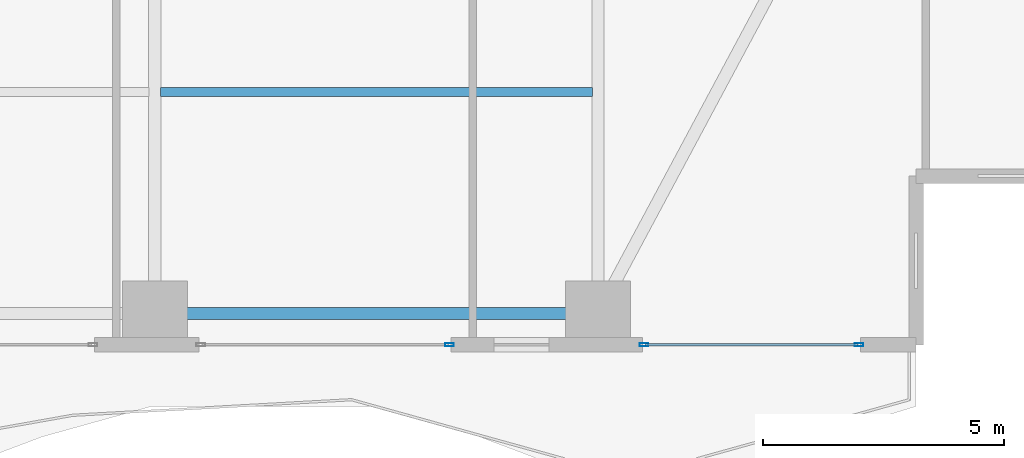
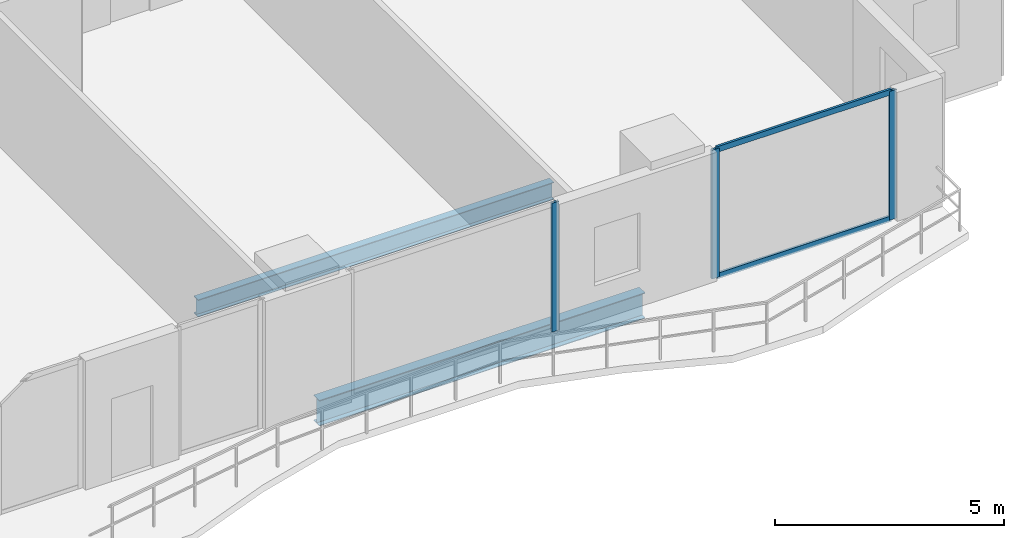
# One storey, part 9 of 28: 5 members, 2 beams, 2 elements without a shape of their own.
"""IFC4 building model written with IfcOpenShell, lengths in metres."""

from ifc_helpers import new_model, si_unit, direction, frame, origin, origin_2d, place, context, subcontext, project, spatial, hollow_rectangle, i_section, extrude, material, layer, layer_set, material_profile, profile_set, type_object, element, aggregate, save


model = new_model("IFC4")

# Units and contexts
model_context = context("Model", 3, precision=1e-05, world=origin(), true_north=direction((0.0, 1.0)))
body_context = subcontext(model_context, "Body", "Model", "MODEL_VIEW")
ifc_project = project(units=[si_unit("LENGTHUNIT", "METRE"), si_unit("AREAUNIT", "SQUARE_METRE"), si_unit("VOLUMEUNIT", "CUBIC_METRE"), si_unit("PLANEANGLEUNIT", "RADIAN"), si_unit("MASSUNIT", "GRAM", prefix="KILO")], contexts=[model_context])

# Site, building, storey
site_placement = place(None, origin())
site = spatial("IfcSite", under=ifc_project, at=site_placement, CompositionType="ELEMENT")
building_placement = place(site_placement, origin())
building = spatial("IfcBuilding", under=site, at=building_placement, Name="Zuhayl Quay Hotel", CompositionType="ELEMENT")
storey_placement = place(building_placement, frame((0.0, 0.0, 99.300048828125)))
storey = spatial("IfcBuildingStorey", under=building, at=storey_placement, Name="L24", CompositionType="ELEMENT", Elevation=99.300048828125)

# Beams
ifc_material_1 = material(Name="Steel ASTM A992 Grade 50", Category="steel")
ifc_material_profile_1 = material_profile(ifc_material_1, i_section(OverallWidth=0.25390625, OverallDepth=0.68310546875, WebThickness=0.012451171875, FlangeThickness=0.018798828125, at=origin_2d()), Name="W27X94")
ifc_profile_set_1 = profile_set([ifc_material_profile_1], Name="Steel ASTM A992 Grade 50")
beam_type_1 = type_object("IfcBeamType", Name="BM_B2_W27X94", PredefinedType="BEAM", material=ifc_profile_set_1)
beam_1_placement = place(storey_placement, frame((5.10009765625, -14.75, -0.5615234375), z_axis=(1.0, 0.0, 0.0), x_axis=(0.0, 1.0, 0.0)))
element("IfcBeam", 1, at=beam_1_placement, inside=storey, type_object=beam_type_1, Name="L24 Floor Beam RG_L24_03", PredefinedType="BEAM", context=body_context, shape_type="SweptSolid", body=[
    extrude(i_section(OverallWidth=0.25390625, OverallDepth=0.68310546875, WebThickness=0.012451171875, FlangeThickness=0.018798828125, at=origin_2d()), origin(), (0.0, 0.0, 1.0), 8.199951171875),
])
ifc_material_profile_2 = material_profile(ifc_material_1, i_section(OverallWidth=0.18994140625, OverallDepth=0.45703125, WebThickness=0.009033203125, FlangeThickness=0.014404296875, at=origin_2d()), Name="W18X50")
ifc_profile_set_2 = profile_set([ifc_material_profile_2], Name="Steel ASTM A992 Grade 50")
beam_type_2 = type_object("IfcBeamType", Name="BM_J2_W18X50", PredefinedType="JOIST", material=ifc_profile_set_2)
beam_2_placement = place(storey_placement, frame((4.718994140625, -10.14990234375, -0.448486328125), z_axis=(1.0, 0.0, 0.0), x_axis=(0.0, 1.0, 0.0)))
element("IfcBeam", 2, at=beam_2_placement, inside=storey, type_object=beam_type_2, Name="L24 Floor Beam FJ_L24_5_3", PredefinedType="JOIST", context=body_context, shape_type="SweptSolid", body=[
    extrude(i_section(OverallWidth=0.18994140625, OverallDepth=0.45703125, WebThickness=0.009033203125, FlangeThickness=0.014404296875, at=origin_2d()), origin(), (0.0, 0.0, 1.0), 8.9619140625),
])

# Curtain wall, members
ifc_material_2 = material(Name="Anodised Aluminium 6063-T6", Category="aluminium")
ifc_layer = layer(ifc_material_2, 0.179931640625, Name="Anodised Aluminium 6063-T6", Category="aluminium")
ifc_layer_set = layer_set([ifc_layer], Name="Anodised Aluminium 6063-T6")
curtain_wall_type = type_object("IfcCurtainWallType", Name="CW_SYS_Z2", PredefinedType="USERDEFINED", material=ifc_layer_set)
curtain_wall_1_placement = place(storey_placement, origin())
curtain_wall_1 = element("IfcCurtainWall", 3, at=curtain_wall_1_placement, inside=storey, type_object=curtain_wall_type, Name="L24 Curtain Wall ENV_L24_S_CW1", ObjectType="UNITISED CURTAIN WALL", PredefinedType="USERDEFINED")
ifc_material_3 = material(Name="Black-anodised aluminium 6063-T6", Category="aluminium")
ifc_material_profile_3 = material_profile(ifc_material_3, hollow_rectangle(XDim=0.06494140625, YDim=0.179931640625, WallThickness=0.00341796875, at=origin_2d()), Name="ALU180X65")
ifc_profile_set_3 = profile_set([ifc_material_profile_3], Name="Black-anodised aluminium 6063-T6")
member_type_1 = type_object("IfcMemberType", Name="MB_CW_MUL_180", PredefinedType="MULLION", material=ifc_profile_set_3)
member_1_placement = place(storey_placement, frame((19.217529296875, -15.39990234375, 0.0), z_axis=(0.0, 0.0, 1.0), x_axis=(0.0, -1.0, 0.0)))
member_1 = element("IfcMember", 4, at=member_1_placement, type_object=member_type_1, Name="CW-Z2 mullion 1", PredefinedType="MULLION", context=body_context, shape_type="SweptSolid", body=[
    extrude(hollow_rectangle(XDim=0.06494140625, YDim=0.179931640625, WallThickness=0.00341796875, at=origin_2d()), origin(), (0.0, 0.0, 1.0), 3.429931640625),
])
member_2_placement = place(storey_placement, frame((14.75244140625, -15.39990234375, 0.0), z_axis=(0.0, 0.0, 1.0), x_axis=(0.0, -1.0, 0.0)))
member_2 = element("IfcMember", 5, at=member_2_placement, type_object=member_type_1, Name="CW-Z2 mullion 2", PredefinedType="MULLION", context=body_context, shape_type="SweptSolid", body=[
    extrude(hollow_rectangle(XDim=0.06494140625, YDim=0.179931640625, WallThickness=0.00341796875, at=origin_2d()), origin(), (0.0, 0.0, 1.0), 3.429931640625),
])

# Curtain wall, member
curtain_wall_2_placement = place(storey_placement, origin())
curtain_wall_2 = element("IfcCurtainWall", 6, at=curtain_wall_2_placement, inside=storey, type_object=curtain_wall_type, Name="L24 Curtain Wall ENV_L24_S_CW2", ObjectType="UNITISED CURTAIN WALL", PredefinedType="USERDEFINED")
member_3_placement = place(storey_placement, frame((10.717529296875, -15.39990234375, 0.0), z_axis=(0.0, 0.0, 1.0), x_axis=(0.0, -1.0, 0.0)))
member_3 = element("IfcMember", 7, at=member_3_placement, type_object=member_type_1, Name="CW-Z2 mullion 1", PredefinedType="MULLION", context=body_context, shape_type="SweptSolid", body=[
    extrude(hollow_rectangle(XDim=0.06494140625, YDim=0.179931640625, WallThickness=0.00341796875, at=origin_2d()), origin(), (0.0, 0.0, 1.0), 3.429931640625),
])
aggregate(curtain_wall_2, [member_3])

# Member
ifc_material_profile_4 = material_profile(ifc_material_3, hollow_rectangle(XDim=0.06005859375, YDim=0.14990234375, WallThickness=0.00341796875, at=origin_2d()), Name="ALU150X60")
ifc_profile_set_4 = profile_set([ifc_material_profile_4], Name="Black-anodised aluminium 6063-T6")
member_type_2 = type_object("IfcMemberType", Name="MB_CW_TRN_150", PredefinedType="USERDEFINED", material=ifc_profile_set_4)
member_4_placement = place(storey_placement, frame((19.18505859375, -15.39990234375, 0.030029296875), z_axis=(-1.0, 0.0, 0.0), x_axis=(0.0, -1.0, 0.0)))
member_4 = element("IfcMember", 8, at=member_4_placement, type_object=member_type_2, Name="CW-Z2 transom 1.1", ObjectType="TRANSOM", PredefinedType="USERDEFINED", context=body_context, shape_type="SweptSolid", body=[
    extrude(hollow_rectangle(XDim=0.06005859375, YDim=0.14990234375, WallThickness=0.00341796875, at=origin_2d()), origin(), (0.0, 0.0, 1.0), 4.400146484375),
])

member_5_placement = place(storey_placement, frame((19.18505859375, -15.39990234375, 3.39990234375), z_axis=(-1.0, 0.0, 0.0), x_axis=(0.0, -1.0, 0.0)))
member_5 = element("IfcMember", 9, at=member_5_placement, type_object=member_type_2, Name="CW-Z2 transom 1.2", ObjectType="TRANSOM", PredefinedType="USERDEFINED", context=body_context, shape_type="SweptSolid", body=[
    extrude(hollow_rectangle(XDim=0.06005859375, YDim=0.14990234375, WallThickness=0.00341796875, at=origin_2d()), origin(), (0.0, 0.0, 1.0), 4.400146484375),
])

aggregate(curtain_wall_1, [member_1, member_2, member_4, member_5])

save(model, "model.ifc")
